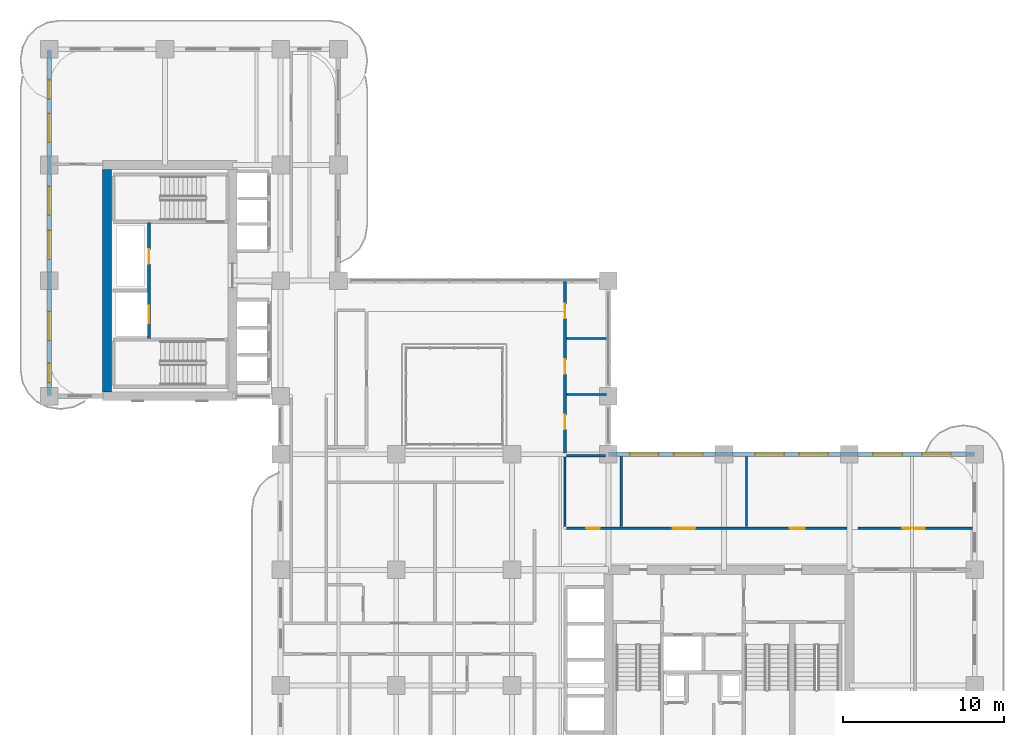
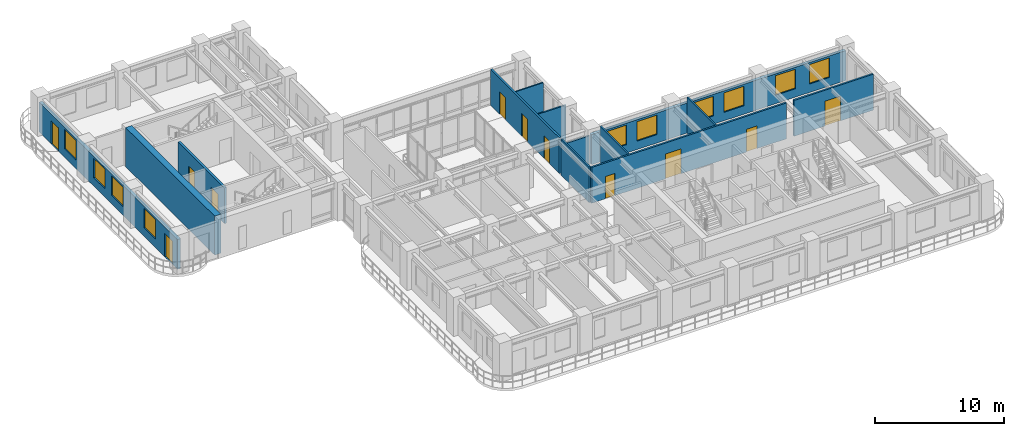
# One storey, part 12 of 19: 13 walls, 11 doors, 10 windows, 21 openings.
"""IFC4 building model written with IfcOpenShell, lengths in metres."""

import ifcopenshell
import ifcopenshell.guid

model = None  # the IFC model being written
_history = None  # IfcOwnerHistory: only IFC2X3 demands one
_inside = {}  # id of a spatial element -> (the spatial element, [elements in it])
_under = {}  # id of a project, library or spatial element -> (it, [spatial elements below it])
_declared = {}  # id of a project -> (the project, [libraries it declares])
_typed = {}  # id of a type object -> (the type object, [elements of that type])
_made_of = {}  # id of a material, layer set ... -> (it, [elements and type objects made of it])


def new_model(schema):
    """Start an empty IFC model of exactly this schema.

    Asked for "IFC4X3", IfcOpenShell would pick the latest addendum, in which some entities
    have other attributes; the version numbers below select the first issue.
    IFC2X3 requires an IfcOwnerHistory on every rooted entity: one is made here for all.
    """
    global model, _history
    if schema == "IFC4X3":
        model = ifcopenshell.file(schema_version=(4, 3, 0, 0))
    else:
        model = ifcopenshell.file(schema=schema)
    _inside.clear()
    _under.clear()
    _declared.clear()
    _typed.clear()
    _made_of.clear()
    _history = None
    if model.schema == "IFC2X3":
        org = make("IfcOrganization", Name="unknown")
        user = make(
            "IfcPersonAndOrganization",
            ThePerson=make("IfcPerson", FamilyName="unknown"),
            TheOrganization=org,
        )
        app = make(
            "IfcApplication",
            ApplicationDeveloper=org,
            Version="unknown",
            ApplicationFullName="unknown",
            ApplicationIdentifier="unknown",
        )
        _history = make(
            "IfcOwnerHistory",
            OwningUser=user,
            OwningApplication=app,
            ChangeAction="ADDED",
            CreationDate=0,
        )
    return model


def make(cls, **values):
    """One entity of the class cls with the attributes given. An attribute that is None is left unset."""
    return model.create_entity(
        cls, **{name: value for name, value in values.items() if value is not None}
    )


def rooted(cls, **values):
    """An entity with a GlobalId (a new one), such as an element, a storey or a relation."""
    return make(cls, GlobalId=ifcopenshell.guid.new(), OwnerHistory=_history, **values)


def si_unit(unit_type, name, prefix=None):
    """IfcSIUnit, for example si_unit("LENGTHUNIT", "METRE", prefix="MILLI")."""
    return make("IfcSIUnit", UnitType=unit_type, Prefix=prefix, Name=name)


def derived_unit(unit_type, elements):
    """IfcDerivedUnit: a product of units, each with its exponent."""
    return make(
        "IfcDerivedUnit",
        Elements=[
            make("IfcDerivedUnitElement", Unit=unit, Exponent=power)
            for unit, power in elements
        ],
        UnitType=unit_type,
    )


def assignment(units):
    """IfcUnitAssignment: the units of a project."""
    return None if units is None else make("IfcUnitAssignment", Units=units)


def point(xyz):
    """IfcCartesianPoint."""
    return None if xyz is None else make("IfcCartesianPoint", Coordinates=xyz)


def direction(xyz):
    """IfcDirection."""
    return None if xyz is None else make("IfcDirection", DirectionRatios=xyz)


def frame(location, z_axis=None, x_axis=None):
    """IfcAxis2Placement3D, a coordinate frame: its origin and axes. An axis left out is left unset."""
    return make(
        "IfcAxis2Placement3D",
        Location=point(location),
        Axis=direction(z_axis),
        RefDirection=direction(x_axis),
    )


def frame_2d(location, x_axis=None):
    """IfcAxis2Placement2D, a coordinate frame in the plane: its origin and x axis."""
    return make(
        "IfcAxis2Placement2D", Location=point(location), RefDirection=direction(x_axis)
    )


def origin():
    """The frame at (0, 0, 0) with its axes left unset."""
    return frame((0.0, 0.0, 0.0))


def place(relative_to, where):
    """IfcLocalPlacement: puts the frame where relative to a parent placement (None: the world)."""
    return make(
        "IfcLocalPlacement", PlacementRelTo=relative_to, RelativePlacement=where
    )


def context(
    kind, dimensions, precision=None, world=None, true_north=None, identifier=None
):
    """IfcGeometricRepresentationContext, for example the 3D "Model" context."""
    return make(
        "IfcGeometricRepresentationContext",
        ContextIdentifier=identifier,
        ContextType=kind,
        CoordinateSpaceDimension=dimensions,
        Precision=precision,
        WorldCoordinateSystem=world,
        TrueNorth=true_north,
    )


def subcontext(parent, identifier, kind, view, scale=None):
    """IfcGeometricRepresentationSubContext, for example "Body" below "Model"."""
    return make(
        "IfcGeometricRepresentationSubContext",
        ContextIdentifier=identifier,
        ContextType=kind,
        ParentContext=parent,
        TargetScale=scale,
        TargetView=view,
    )


def project(units=None, contexts=None):
    """IfcProject with its units and contexts."""
    return rooted(
        "IfcProject",
        Name="project",
        RepresentationContexts=contexts,
        UnitsInContext=assignment(units),
    )


def spatial(cls, under=None, at=None, **own):
    """A site, building, storey or space (cls), placed at a placement, below another one or the project."""
    s = rooted(cls, ObjectPlacement=at, **own)
    if under is not None:
        _under.setdefault(under.id(), (under, []))[1].append(s)
    return s


def profile(cls, at=None, kind="AREA", **sizes):
    """A parametric profile (cls). Its sizes go by their IFC names, for example OverallWidth=200.0."""
    return make(cls, ProfileType=kind, Position=at, **sizes)


def rectangle(**sizes):
    """IfcRectangleProfileDef."""
    return profile("IfcRectangleProfileDef", **sizes)


def extrude(swept, where, along, depth):
    """IfcExtrudedAreaSolid: the profile swept, set in the frame where, extruded along a direction by depth."""
    return make(
        "IfcExtrudedAreaSolid",
        SweptArea=swept,
        Position=where,
        ExtrudedDirection=direction(along),
        Depth=depth,
    )


def shape(context_of_items, identifier, shape_type, items):
    """IfcShapeRepresentation: the items that make up one representation, for example the "Body"."""
    return make(
        "IfcShapeRepresentation",
        ContextOfItems=context_of_items,
        RepresentationIdentifier=identifier,
        RepresentationType=shape_type,
        Items=items,
    )


def source(mapping_origin, context_of_items, identifier, shape_type, items):
    """IfcRepresentationMap: a shape defined once, which mapped items show again and again."""
    return make(
        "IfcRepresentationMap",
        MappingOrigin=mapping_origin,
        MappedRepresentation=shape(context_of_items, identifier, shape_type, items),
    )


def transform(
    local_origin,
    x_axis=None,
    y_axis=None,
    z_axis=None,
    scale=None,
    scale2=None,
    scale3=None,
    uniform=True,
):
    """IfcCartesianTransformationOperator3D, or its non-uniform kind. x_axis, y_axis, z_axis: its Axis1, 2, 3."""
    if uniform:
        return make(
            "IfcCartesianTransformationOperator3D",
            Axis1=direction(x_axis),
            Axis2=direction(y_axis),
            LocalOrigin=point(local_origin),
            Scale=scale,
            Axis3=direction(z_axis),
        )
    return make(
        "IfcCartesianTransformationOperator3DnonUniform",
        Axis1=direction(x_axis),
        Axis2=direction(y_axis),
        LocalOrigin=point(local_origin),
        Scale=scale,
        Axis3=direction(z_axis),
        Scale2=scale2,
        Scale3=scale3,
    )


def mapped(mapping_source, mapping_target):
    """IfcMappedItem: shows the shape of a source again, moved by a transform."""
    return make(
        "IfcMappedItem", MappingSource=mapping_source, MappingTarget=mapping_target
    )


def material(Name=None, Category=None):
    """IfcMaterial."""
    return make("IfcMaterial", Name=Name, Category=Category)


def layer(
    of_material, thickness, ventilated=None, Name=None, Category=None, Priority=None
):
    """IfcMaterialLayer: one layer of a wall or slab, of a material (None: an air gap)."""
    return make(
        "IfcMaterialLayer",
        Material=of_material,
        LayerThickness=thickness,
        IsVentilated=ventilated,
        Name=Name,
        Category=Category,
        Priority=Priority,
    )


def layer_set(layers, Name=None):
    """IfcMaterialLayerSet."""
    return make("IfcMaterialLayerSet", MaterialLayers=layers, LayerSetName=Name)


def made_of(thing, what):
    """Note that an element or type object is made of a material, layer set ...; save() writes the relation."""
    if what is not None:
        _made_of.setdefault(what.id(), (what, []))[1].append(thing)
    return thing


def type_object(cls, material=None, **own):
    """A type object (cls), such as IfcWallType, which elements share."""
    return made_of(rooted(cls, **own), material)


def type_shapes(of_type, sources):
    """Give a type object the sources (RepresentationMaps) that its elements show as mapped items."""
    of_type.RepresentationMaps = sources


def element(
    cls,
    number,
    at=None,
    inside=None,
    cuts=None,
    type_object=None,
    material=None,
    context=None,
    identifier="Body",
    shape_type=None,
    held_by="IfcProductDefinitionShape",
    body=None,
    shapes=None,
    **own,
):
    """One element of the class cls, such as IfcWall. Its Tag is "e" and its number.

    at: its placement. inside: the storey or other place that contains it. cuts: it is an
    opening in that element (IfcRelVoidsElement). A single representation is given by context,
    identifier, shape_type and body (its items); several are given by shapes. held_by: the class
    of the entity that holds the representations. save() writes the other relations.
    """
    e = rooted(cls, Tag="e%d" % number, ObjectPlacement=at, **own)
    if body is not None:
        shapes = [shape(context, identifier, shape_type, body)]
    if shapes is not None:
        e.Representation = make(held_by, Representations=shapes)
    if inside is not None:
        _inside.setdefault(inside.id(), (inside, []))[1].append(e)
    if cuts is not None:
        rooted(
            "IfcRelVoidsElement", RelatingBuildingElement=cuts, RelatedOpeningElement=e
        )
    if type_object is not None:
        _typed.setdefault(type_object.id(), (type_object, []))[1].append(e)
    return made_of(e, material)


def fill(opening, filler):
    """IfcRelFillsElement: the door or window that sits in an opening."""
    return rooted(
        "IfcRelFillsElement",
        RelatingOpeningElement=opening,
        RelatedBuildingElement=filler,
    )


def aggregate(whole, parts):
    """IfcRelAggregates: a whole, such as a stair, and the parts it consists of."""
    return rooted("IfcRelAggregates", RelatingObject=whole, RelatedObjects=parts)


def save(model, path):
    """Write the relations noted so far, then the file.

    IfcRelAggregates (storeys below a building ...), IfcRelContainedInSpatialStructure (elements
    in a storey), IfcRelDefinesByType, IfcRelAssociatesMaterial and IfcRelDeclares: one each for
    every whole, place, type object, material and project.
    """
    for whole, parts in _under.values():
        aggregate(whole, parts)
    for where, things in _inside.values():
        rooted(
            "IfcRelContainedInSpatialStructure",
            RelatedElements=things,
            RelatingStructure=where,
        )
    for kind, things in _typed.values():
        rooted("IfcRelDefinesByType", RelatedObjects=things, RelatingType=kind)
    for what, things in _made_of.values():
        rooted("IfcRelAssociatesMaterial", RelatedObjects=things, RelatingMaterial=what)
    for by, libraries in _declared.values():
        rooted("IfcRelDeclares", RelatingContext=by, RelatedDefinitions=libraries)
    model.write(path)


model = new_model("IFC4")

# Units and contexts
model_context = context("Model", 3, precision=1e-05, world=origin(), true_north=direction((0.0, 1.0)))
body_context = subcontext(model_context, "Body", "Model", "MODEL_VIEW")
ifc_project = project(units=[si_unit("LENGTHUNIT", "METRE"), si_unit("AREAUNIT", "SQUARE_METRE"), si_unit("VOLUMEUNIT", "CUBIC_METRE"), si_unit("PLANEANGLEUNIT", "RADIAN"), si_unit("MASSUNIT", "GRAM", prefix="KILO"), si_unit("THERMODYNAMICTEMPERATUREUNIT", "KELVIN"), si_unit("POWERUNIT", "WATT"), derived_unit("THERMALTRANSMITTANCEUNIT", [(si_unit("POWERUNIT", "WATT"), 1), (si_unit("AREAUNIT", "SQUARE_METRE"), -1), (si_unit("THERMODYNAMICTEMPERATUREUNIT", "KELVIN"), -1)])], contexts=[model_context])

# Site, building, storey
site_placement = place(None, origin())
site = spatial("IfcSite", under=ifc_project, at=site_placement, CompositionType="ELEMENT")
building_placement = place(site_placement, origin())
building = spatial("IfcBuilding", under=site, at=building_placement, Name="Zahravan Archway Hotel and Residences", CompositionType="ELEMENT")
storey_placement = place(building_placement, frame((0.0, 0.0, 102.699951171875)))
storey = spatial("IfcBuildingStorey", under=building, at=storey_placement, Name="L25", CompositionType="ELEMENT", Elevation=102.699951171875)

# Wall
ifc_material_1 = material(Name="Concrete C70/85", Category="concrete")
ifc_layer_1 = layer(ifc_material_1, 0.550048828125, Name="Concrete C70/85", Category="concrete")
ifc_layer_set_1 = layer_set([ifc_layer_1], Name="Concrete C70/85")
wall_type_1 = type_object("IfcWallType", Name="CW-CORE-550", PredefinedType="SHEAR", material=ifc_layer_set_1)
wall_1_placement = place(storey_placement, frame((3.60009765625, 25.47509765625, 0.0), z_axis=(0.0, 0.0, 1.0), x_axis=(0.0, 1.0, 0.0)))
element("IfcWall", 1, at=wall_1_placement, inside=storey, type_object=wall_type_1, Name="L25 Core B Shear W Wall 550 mm", PredefinedType="SHEAR", context=body_context, shape_type="SweptSolid", body=[
    extrude(rectangle(XDim=13.849853515625, YDim=0.550048828125, at=frame_2d((6.9248046875, 0.0))), origin(), (0.0, 0.0, 1.0), 3.699951171875),
])

# Wall, openings, windows
ifc_material_2 = material(Name="Honed Red-Ochre Sandstone & Insulated Block", Category="masonry")
ifc_layer_2 = layer(ifc_material_2, 0.280029296875, Name="Honed Red-Ochre Sandstone & Insulated Block", Category="masonry")
ifc_layer_set_2 = layer_set([ifc_layer_2], Name="Honed Red-Ochre Sandstone & Insulated Block")
wall_type_2 = type_object("IfcWallType", Name="EW-LOG-280", PredefinedType="SOLIDWALL", material=ifc_layer_set_2)
wall_2_placement = place(storey_placement, frame((34.800048828125, 21.60009765625, 0.0), z_axis=(0.0, 0.0, 1.0), x_axis=(1.0, 0.0, 0.0)))
wall_2 = element("IfcWall", 2, at=wall_2_placement, inside=storey, type_object=wall_type_2, Name="L25 Exterior Sandstone Wall WA-NE", PredefinedType="SOLIDWALL", context=body_context, shape_type="SweptSolid", body=[
    extrude(rectangle(XDim=22.800048828125, YDim=0.280029296875, at=frame_2d((11.39990234375, 0.0))), origin(), (0.0, 0.0, 1.0), 2.8349609375),
])
opening_1_placement = place(wall_2_placement, frame((1.3310546875, 0.0, 0.800048828125)))
opening_1 = element("IfcOpeningElement", 3, at=opening_1_placement, cuts=wall_2, Name="Opening W-02", PredefinedType="OPENING", context=body_context, shape_type="SweptSolid", body=[
    extrude(rectangle(XDim=1.800048828125, YDim=1.85009765625, at=frame_2d((0.89990234375, 0.925048828125))), frame((0.0, 0.14990234375, 0.0), z_axis=(0.0, -1.0, 0.0), x_axis=(1.0, 0.0, 0.0)), (0.0, 0.0, 1.0), 0.300048828125),
])
opening_2_placement = place(wall_2_placement, frame((4.076904296875, 0.0, 0.800048828125)))
opening_2 = element("IfcOpeningElement", 4, at=opening_2_placement, cuts=wall_2, Name="Opening W-02", PredefinedType="OPENING", context=body_context, shape_type="SweptSolid", body=[
    extrude(rectangle(XDim=1.800048828125, YDim=1.85009765625, at=frame_2d((0.89990234375, 0.925048828125))), frame((0.0, 0.14990234375, 0.0), z_axis=(0.0, -1.0, 0.0), x_axis=(1.0, 0.0, 0.0)), (0.0, 0.0, 1.0), 0.300048828125),
])
opening_3_placement = place(wall_2_placement, frame((9.131103515625, 0.0, 0.800048828125)))
opening_3 = element("IfcOpeningElement", 5, at=opening_3_placement, cuts=wall_2, Name="Opening W-02", PredefinedType="OPENING", context=body_context, shape_type="SweptSolid", body=[
    extrude(rectangle(XDim=1.800048828125, YDim=1.85009765625, at=frame_2d((0.89990234375, 0.925048828125))), frame((0.0, 0.14990234375, 0.0), z_axis=(0.0, -1.0, 0.0), x_axis=(1.0, 0.0, 0.0)), (0.0, 0.0, 1.0), 0.300048828125),
])
opening_4_placement = place(wall_2_placement, frame((11.876953125, 0.0, 0.800048828125)))
opening_4 = element("IfcOpeningElement", 6, at=opening_4_placement, cuts=wall_2, Name="Opening W-02", PredefinedType="OPENING", context=body_context, shape_type="SweptSolid", body=[
    extrude(rectangle(XDim=1.800048828125, YDim=1.85009765625, at=frame_2d((0.89990234375, 0.925048828125))), frame((0.0, 0.14990234375, 0.0), z_axis=(0.0, -1.0, 0.0), x_axis=(1.0, 0.0, 0.0)), (0.0, 0.0, 1.0), 0.300048828125),
])
opening_5_placement = place(wall_2_placement, frame((16.47509765625, 0.0, 0.800048828125)))
opening_5 = element("IfcOpeningElement", 7, at=opening_5_placement, cuts=wall_2, Name="Opening W-02", PredefinedType="OPENING", context=body_context, shape_type="SweptSolid", body=[
    extrude(rectangle(XDim=1.800048828125, YDim=1.85009765625, at=frame_2d((0.89990234375, 0.925048828125))), frame((0.0, 0.14990234375, 0.0), z_axis=(0.0, -1.0, 0.0), x_axis=(1.0, 0.0, 0.0)), (0.0, 0.0, 1.0), 0.300048828125),
])
opening_6_placement = place(wall_2_placement, frame((19.52490234375, 0.0, 0.800048828125)))
opening_6 = element("IfcOpeningElement", 8, at=opening_6_placement, cuts=wall_2, Name="Opening W-02", PredefinedType="OPENING", context=body_context, shape_type="SweptSolid", body=[
    extrude(rectangle(XDim=1.800048828125, YDim=1.85009765625, at=frame_2d((0.89990234375, 0.925048828125))), frame((0.0, 0.14990234375, 0.0), z_axis=(0.0, -1.0, 0.0), x_axis=(1.0, 0.0, 0.0)), (0.0, 0.0, 1.0), 0.300048828125),
])
ifc_material_3 = material(Name="Bronze-Anodized Thermal-Break Aluminium & Low-E Glass", Category="aluminium")
window_type = type_object("IfcWindowType", Name="WIN-TWR-1800", PartitioningType="DOUBLE_PANEL_VERTICAL", PredefinedType="WINDOW", material=ifc_material_3)
shared_shape_1 = source(origin(), body_context, "Body", "SweptSolid", [
    extrude(rectangle(XDim=1.800048828125, YDim=1.85009765625, at=frame_2d((0.89990234375, 0.925048828125))), frame((0.0, 0.030029296875, 0.0), z_axis=(0.0, -1.0, 0.0), x_axis=(1.0, 0.0, 0.0)), (0.0, 0.0, 1.0), 0.06005859375),
])
type_shapes(window_type, [shared_shape_1])
window_1_placement = place(opening_1_placement, origin())
window_1 = element("IfcWindow", 9, at=window_1_placement, inside=storey, type_object=window_type, Name="L25 Loggia Window 18", OverallHeight=1.85009765625, OverallWidth=1.800048828125, PartitioningType="DOUBLE_PANEL_VERTICAL", PredefinedType="WINDOW", context=body_context, shape_type="MappedRepresentation", body=[
    mapped(shared_shape_1, transform((0.0, 0.0, 0.0), scale=1.0)),
])
fill(opening_1, window_1)
window_2_placement = place(opening_2_placement, origin())
window_2 = element("IfcWindow", 10, at=window_2_placement, inside=storey, type_object=window_type, Name="L25 Loggia Window 19", OverallHeight=1.85009765625, OverallWidth=1.800048828125, PartitioningType="DOUBLE_PANEL_VERTICAL", PredefinedType="WINDOW", context=body_context, shape_type="MappedRepresentation", body=[
    mapped(shared_shape_1, transform((0.0, 0.0, 0.0), scale=1.0)),
])
fill(opening_2, window_2)
window_3_placement = place(opening_3_placement, origin())
window_3 = element("IfcWindow", 11, at=window_3_placement, inside=storey, type_object=window_type, Name="L25 Loggia Window 20", OverallHeight=1.85009765625, OverallWidth=1.800048828125, PartitioningType="DOUBLE_PANEL_VERTICAL", PredefinedType="WINDOW", context=body_context, shape_type="MappedRepresentation", body=[
    mapped(shared_shape_1, transform((0.0, 0.0, 0.0), scale=1.0)),
])
fill(opening_3, window_3)
window_4_placement = place(opening_4_placement, origin())
window_4 = element("IfcWindow", 12, at=window_4_placement, inside=storey, type_object=window_type, Name="L25 Loggia Window 21", OverallHeight=1.85009765625, OverallWidth=1.800048828125, PartitioningType="DOUBLE_PANEL_VERTICAL", PredefinedType="WINDOW", context=body_context, shape_type="MappedRepresentation", body=[
    mapped(shared_shape_1, transform((0.0, 0.0, 0.0), scale=1.0)),
])
fill(opening_4, window_4)
window_5_placement = place(opening_5_placement, origin())
window_5 = element("IfcWindow", 13, at=window_5_placement, inside=storey, type_object=window_type, Name="L25 Loggia Window 22", OverallHeight=1.85009765625, OverallWidth=1.800048828125, PartitioningType="DOUBLE_PANEL_VERTICAL", PredefinedType="WINDOW", context=body_context, shape_type="MappedRepresentation", body=[
    mapped(shared_shape_1, transform((0.0, 0.0, 0.0), scale=1.0)),
])
fill(opening_5, window_5)
window_6_placement = place(opening_6_placement, origin())
window_6 = element("IfcWindow", 14, at=window_6_placement, inside=storey, type_object=window_type, Name="L25 Loggia Window 23", OverallHeight=1.85009765625, OverallWidth=1.800048828125, PartitioningType="DOUBLE_PANEL_VERTICAL", PredefinedType="WINDOW", context=body_context, shape_type="MappedRepresentation", body=[
    mapped(shared_shape_1, transform((0.0, 0.0, 0.0), scale=1.0)),
])
fill(opening_6, window_6)

# Wall, openings, doors, windows
wall_3_placement = place(storey_placement, frame((0.0, 25.25, 0.0), z_axis=(0.0, 0.0, 1.0), x_axis=(0.0, 1.0, 0.0)))
wall_3 = element("IfcWall", 15, at=wall_3_placement, inside=storey, type_object=wall_type_2, Name="L25 Exterior Sandstone Wall WB-W", PredefinedType="SOLIDWALL", context=body_context, shape_type="SweptSolid", body=[
    extrude(rectangle(XDim=21.5, YDim=0.280029296875, at=frame_2d((10.75, 0.0))), origin(), (0.0, 0.0, 1.0), 2.8349609375),
])
opening_7_placement = place(wall_3_placement, frame((18.449951171875, 0.0, 0.0)))
opening_7 = element("IfcOpeningElement", 16, at=opening_7_placement, cuts=wall_3, Name="Opening ED-BL1", PredefinedType="OPENING", context=body_context, shape_type="SweptSolid", body=[
    extrude(rectangle(XDim=1.199951171875, YDim=2.199951171875, at=frame_2d((0.60009765625, 1.10009765625))), frame((0.0, 0.14990234375, 0.0), z_axis=(0.0, -1.0, 0.0), x_axis=(1.0, 0.0, 0.0)), (0.0, 0.0, 1.0), 0.300048828125),
])
opening_8_placement = place(wall_3_placement, frame((0.800048828125, 0.0, 0.0)))
opening_8 = element("IfcOpeningElement", 17, at=opening_8_placement, cuts=wall_3, Name="Opening ED-BL1", PredefinedType="OPENING", context=body_context, shape_type="SweptSolid", body=[
    extrude(rectangle(XDim=1.199951171875, YDim=2.199951171875, at=frame_2d((0.60009765625, 1.10009765625))), frame((0.0, 0.14990234375, 0.0), z_axis=(0.0, -1.0, 0.0), x_axis=(1.0, 0.0, 0.0)), (0.0, 0.0, 1.0), 0.300048828125),
])
opening_9_placement = place(wall_3_placement, frame((3.425048828125, 0.0, 0.800048828125)))
opening_9 = element("IfcOpeningElement", 18, at=opening_9_placement, cuts=wall_3, Name="Opening W-02", PredefinedType="OPENING", context=body_context, shape_type="SweptSolid", body=[
    extrude(rectangle(XDim=1.800048828125, YDim=1.85009765625, at=frame_2d((0.89990234375, 0.925048828125))), frame((0.0, 0.14990234375, 0.0), z_axis=(0.0, -1.0, 0.0), x_axis=(1.0, 0.0, 0.0)), (0.0, 0.0, 1.0), 0.300048828125),
])
opening_10_placement = place(wall_3_placement, frame((8.47509765625, 0.0, 0.800048828125)))
opening_10 = element("IfcOpeningElement", 19, at=opening_10_placement, cuts=wall_3, Name="Opening W-02", PredefinedType="OPENING", context=body_context, shape_type="SweptSolid", body=[
    extrude(rectangle(XDim=1.800048828125, YDim=1.85009765625, at=frame_2d((0.89990234375, 0.925048828125))), frame((0.0, 0.14990234375, 0.0), z_axis=(0.0, -1.0, 0.0), x_axis=(1.0, 0.0, 0.0)), (0.0, 0.0, 1.0), 0.300048828125),
])
opening_11_placement = place(wall_3_placement, frame((11.22509765625, 0.0, 0.800048828125)))
opening_11 = element("IfcOpeningElement", 20, at=opening_11_placement, cuts=wall_3, Name="Opening W-02", PredefinedType="OPENING", context=body_context, shape_type="SweptSolid", body=[
    extrude(rectangle(XDim=1.800048828125, YDim=1.85009765625, at=frame_2d((0.89990234375, 0.925048828125))), frame((0.0, 0.14990234375, 0.0), z_axis=(0.0, -1.0, 0.0), x_axis=(1.0, 0.0, 0.0)), (0.0, 0.0, 1.0), 0.300048828125),
])
opening_12_placement = place(wall_3_placement, frame((15.75, 0.0, 0.800048828125)))
opening_12 = element("IfcOpeningElement", 21, at=opening_12_placement, cuts=wall_3, Name="Opening W-02", PredefinedType="OPENING", context=body_context, shape_type="SweptSolid", body=[
    extrude(rectangle(XDim=1.800048828125, YDim=1.85009765625, at=frame_2d((0.89990234375, 0.925048828125))), frame((0.0, 0.14990234375, 0.0), z_axis=(0.0, -1.0, 0.0), x_axis=(1.0, 0.0, 0.0)), (0.0, 0.0, 1.0), 0.300048828125),
])
ifc_material_4 = material(Name="Bronze-Anodized Glazed Aluminium", Category="aluminium")
door_type_1 = type_object("IfcDoorType", Name="ED-BALC-1200", OperationType="SLIDING_TO_LEFT", PredefinedType="DOOR", material=ifc_material_4)
shared_shape_2 = source(origin(), body_context, "Body", "SweptSolid", [
    extrude(rectangle(XDim=1.199951171875, YDim=2.199951171875, at=frame_2d((0.60009765625, 1.10009765625))), frame((0.0, 0.02490234375, 0.0), z_axis=(0.0, -1.0, 0.0), x_axis=(1.0, 0.0, 0.0)), (0.0, 0.0, 1.0), 0.050048828125),
])
type_shapes(door_type_1, [shared_shape_2])
door_1_placement = place(opening_7_placement, origin())
door_1 = element("IfcDoor", 22, at=door_1_placement, inside=storey, type_object=door_type_1, Name="L25 Outdoor Access Sliding Door (SLB-BAL-L25-NB)", OperationType="SLIDING_TO_LEFT", OverallHeight=2.199951171875, OverallWidth=1.199951171875, PredefinedType="DOOR", context=body_context, shape_type="MappedRepresentation", body=[
    mapped(shared_shape_2, transform((0.0, 0.0, 0.0), scale=1.0)),
])
fill(opening_7, door_1)
door_2_placement = place(opening_8_placement, origin())
door_2 = element("IfcDoor", 23, at=door_2_placement, inside=storey, type_object=door_type_1, Name="L25 Outdoor Access Sliding Door (SLB-BAL-L25-WB)", OperationType="SLIDING_TO_LEFT", OverallHeight=2.199951171875, OverallWidth=1.199951171875, PredefinedType="DOOR", context=body_context, shape_type="MappedRepresentation", body=[
    mapped(shared_shape_2, transform((0.0, 0.0, 0.0), scale=1.0)),
])
fill(opening_8, door_2)
window_7_placement = place(opening_9_placement, origin())
window_7 = element("IfcWindow", 24, at=window_7_placement, inside=storey, type_object=window_type, Name="L25 Loggia Window 30", OverallHeight=1.85009765625, OverallWidth=1.800048828125, PartitioningType="DOUBLE_PANEL_VERTICAL", PredefinedType="WINDOW", context=body_context, shape_type="MappedRepresentation", body=[
    mapped(shared_shape_1, transform((0.0, 0.0, 0.0), scale=1.0)),
])
fill(opening_9, window_7)
window_8_placement = place(opening_10_placement, origin())
window_8 = element("IfcWindow", 25, at=window_8_placement, inside=storey, type_object=window_type, Name="L25 Loggia Window 31", OverallHeight=1.85009765625, OverallWidth=1.800048828125, PartitioningType="DOUBLE_PANEL_VERTICAL", PredefinedType="WINDOW", context=body_context, shape_type="MappedRepresentation", body=[
    mapped(shared_shape_1, transform((0.0, 0.0, 0.0), scale=1.0)),
])
fill(opening_10, window_8)
window_9_placement = place(opening_11_placement, origin())
window_9 = element("IfcWindow", 26, at=window_9_placement, inside=storey, type_object=window_type, Name="L25 Loggia Window 32", OverallHeight=1.85009765625, OverallWidth=1.800048828125, PartitioningType="DOUBLE_PANEL_VERTICAL", PredefinedType="WINDOW", context=body_context, shape_type="MappedRepresentation", body=[
    mapped(shared_shape_1, transform((0.0, 0.0, 0.0), scale=1.0)),
])
fill(opening_11, window_9)
window_10_placement = place(opening_12_placement, origin())
window_10 = element("IfcWindow", 27, at=window_10_placement, inside=storey, type_object=window_type, Name="L25 Loggia Window 33", OverallHeight=1.85009765625, OverallWidth=1.800048828125, PartitioningType="DOUBLE_PANEL_VERTICAL", PredefinedType="WINDOW", context=body_context, shape_type="MappedRepresentation", body=[
    mapped(shared_shape_1, transform((0.0, 0.0, 0.0), scale=1.0)),
])
fill(opening_12, window_10)

# Wall, openings, doors
ifc_material_5 = material(Name="Fire-Rated Gypsum & Concrete Block", Category="concrete")
ifc_layer_3 = layer(ifc_material_5, 0.159912109375, Name="Fire-Rated Gypsum & Concrete Block", Category="concrete")
ifc_layer_set_3 = layer_set([ifc_layer_3], Name="Fire-Rated Gypsum & Concrete Block")
wall_type_3 = type_object("IfcWallType", Name="PW-CORR-160", PredefinedType="PARTITIONING", material=ifc_layer_set_3)
wall_4_placement = place(storey_placement, frame((32.18994140625, 17.0, 0.0), z_axis=(0.0, 0.0, 1.0), x_axis=(1.0, 0.0, 0.0)))
wall_4 = element("IfcWall", 28, at=wall_4_placement, inside=storey, type_object=wall_type_3, Name="L25 Partition WA-FN", PredefinedType="PARTITIONING", context=body_context, shape_type="SweptSolid", body=[
    extrude(rectangle(XDim=17.469970703125, YDim=0.159912109375, at=frame_2d((8.73486328125, 0.0))), origin(), (0.0, 0.0, 1.0), 3.400146484375),
])
opening_13_placement = place(wall_4_placement, frame((1.235107421875, 0.0, 0.0)))
opening_13 = element("IfcOpeningElement", 29, at=opening_13_placement, cuts=wall_4, Name="Opening D-B1", PredefinedType="OPENING", context=body_context, shape_type="SweptSolid", body=[
    extrude(rectangle(XDim=0.85009765625, YDim=2.10009765625, at=frame_2d((0.425048828125, 1.050048828125))), frame((0.0, 0.08984375, 0.0), z_axis=(0.0, -1.0, 0.0), x_axis=(1.0, 0.0, 0.0)), (0.0, 0.0, 1.0), 0.179931640625),
])
opening_14_placement = place(wall_4_placement, frame((6.610107421875, 0.0, 0.0)))
opening_14 = element("IfcOpeningElement", 30, at=opening_14_placement, cuts=wall_4, Name="Opening D-P1", PredefinedType="OPENING", context=body_context, shape_type="SweptSolid", body=[
    extrude(rectangle(XDim=1.39990234375, YDim=2.35009765625, at=frame_2d((0.699951171875, 1.175048828125))), frame((0.0, 0.08984375, 0.0), z_axis=(0.0, -1.0, 0.0), x_axis=(1.0, 0.0, 0.0)), (0.0, 0.0, 1.0), 0.179931640625),
])
opening_15_placement = place(wall_4_placement, frame((13.885009765625, 0.0, 0.0)))
opening_15 = element("IfcOpeningElement", 31, at=opening_15_placement, cuts=wall_4, Name="Opening D-I1", PredefinedType="OPENING", context=body_context, shape_type="SweptSolid", body=[
    extrude(rectangle(XDim=0.949951171875, YDim=2.14990234375, at=frame_2d((0.47509765625, 1.074951171875))), frame((0.0, 0.08984375, 0.0), z_axis=(0.0, -1.0, 0.0), x_axis=(1.0, 0.0, 0.0)), (0.0, 0.0, 1.0), 0.179931640625),
])
ifc_material_6 = material(Name="Hardwood Veneer Timber", Category="wood")
door_type_2 = type_object("IfcDoorType", Name="ID-BATH-850", OperationType="NOTDEFINED", PredefinedType="DOOR", material=ifc_material_6)
shared_shape_3 = source(origin(), body_context, "Body", "SweptSolid", [
    extrude(rectangle(XDim=0.85009765625, YDim=2.10009765625, at=frame_2d((0.425048828125, 1.050048828125))), frame((0.0, 0.02490234375, 0.0), z_axis=(0.0, -1.0, 0.0), x_axis=(1.0, 0.0, 0.0)), (0.0, 0.0, 1.0), 0.050048828125),
])
type_shapes(door_type_2, [shared_shape_3])
door_3_placement = place(opening_13_placement, origin())
door_3 = element("IfcDoor", 32, at=door_3_placement, inside=storey, type_object=door_type_2, Name="L25 Accessible WC Door", OperationType="SINGLE_SWING_LEFT", OverallHeight=2.10009765625, OverallWidth=0.85009765625, PredefinedType="DOOR", context=body_context, shape_type="MappedRepresentation", body=[
    mapped(shared_shape_3, transform((0.0, 0.0, 0.0), scale=1.0)),
])
fill(opening_13, door_3)
door_type_3 = type_object("IfcDoorType", Name="ID-PUBLIC-1400", OperationType="DOUBLE_DOOR_SINGLE_SWING", PredefinedType="DOOR", material=ifc_material_4)
shared_shape_4 = source(origin(), body_context, "Body", "SweptSolid", [
    extrude(rectangle(XDim=1.39990234375, YDim=2.35009765625, at=frame_2d((0.699951171875, 1.175048828125))), frame((0.0, 0.02490234375, 0.0), z_axis=(0.0, -1.0, 0.0), x_axis=(1.0, 0.0, 0.0)), (0.0, 0.0, 1.0), 0.050048828125),
])
type_shapes(door_type_3, [shared_shape_4])
door_4_placement = place(opening_14_placement, origin())
door_4 = element("IfcDoor", 33, at=door_4_placement, inside=storey, type_object=door_type_3, Name="L25 Private Dining Door", OperationType="DOUBLE_DOOR_SINGLE_SWING", OverallHeight=2.35009765625, OverallWidth=1.39990234375, PredefinedType="DOOR", context=body_context, shape_type="MappedRepresentation", body=[
    mapped(shared_shape_4, transform((0.0, 0.0, 0.0), scale=1.0)),
])
fill(opening_14, door_4)
door_type_4 = type_object("IfcDoorType", Name="ID-INT-950", OperationType="NOTDEFINED", PredefinedType="DOOR", material=ifc_material_6)
shared_shape_5 = source(origin(), body_context, "Body", "SweptSolid", [
    extrude(rectangle(XDim=0.949951171875, YDim=2.14990234375, at=frame_2d((0.47509765625, 1.074951171875))), frame((0.0, 0.02490234375, 0.0), z_axis=(0.0, -1.0, 0.0), x_axis=(1.0, 0.0, 0.0)), (0.0, 0.0, 1.0), 0.050048828125),
])
type_shapes(door_type_4, [shared_shape_5])
door_5_placement = place(opening_15_placement, origin())
door_5 = element("IfcDoor", 34, at=door_5_placement, inside=storey, type_object=door_type_4, Name="L25 Quiet Musalla Door", OperationType="SINGLE_SWING_RIGHT", OverallHeight=2.14990234375, OverallWidth=0.949951171875, PredefinedType="DOOR", context=body_context, shape_type="MappedRepresentation", body=[
    mapped(shared_shape_5, transform((0.0, 0.0, 0.0), scale=1.0)),
])
fill(opening_15, door_5)

# Wall, opening, door
wall_5_placement = place(storey_placement, frame((50.340087890625, 17.0, 0.0), z_axis=(0.0, 0.0, 1.0), x_axis=(1.0, 0.0, 0.0)))
wall_5 = element("IfcWall", 35, at=wall_5_placement, inside=storey, type_object=wall_type_3, Name="L25 Partition EA-PN", PredefinedType="PARTITIONING", context=body_context, shape_type="SweptSolid", body=[
    extrude(rectangle(XDim=7.11181640625, YDim=0.159912109375, at=frame_2d((3.555908203125, 0.0))), origin(), (0.0, 0.0, 1.0), 3.400146484375),
])
opening_16_placement = place(wall_5_placement, frame((2.760009765625, 0.0, 0.0)))
opening_16 = element("IfcOpeningElement", 36, at=opening_16_placement, cuts=wall_5, Name="Opening D-P1", PredefinedType="OPENING", context=body_context, shape_type="SweptSolid", body=[
    extrude(rectangle(XDim=1.39990234375, YDim=2.35009765625, at=frame_2d((0.699951171875, 1.175048828125))), frame((0.0, 0.08984375, 0.0), z_axis=(0.0, -1.0, 0.0), x_axis=(1.0, 0.0, 0.0)), (0.0, 0.0, 1.0), 0.179931640625),
])
door_6_placement = place(opening_16_placement, origin())
door_6 = element("IfcDoor", 37, at=door_6_placement, inside=storey, type_object=door_type_3, Name="L25 East Fitness Studio Door", OperationType="DOUBLE_DOOR_SINGLE_SWING", OverallHeight=2.35009765625, OverallWidth=1.39990234375, PredefinedType="DOOR", context=body_context, shape_type="MappedRepresentation", body=[
    mapped(shared_shape_4, transform((0.0, 0.0, 0.0), scale=1.0)),
])
fill(opening_16, door_6)

# Walls
ifc_material_7 = material(Name="Acoustic Stud Partition")
ifc_layer_4 = layer(ifc_material_7, 0.125, Name="Acoustic Stud Partition")
ifc_layer_set_4 = layer_set([ifc_layer_4], Name="Acoustic Stud Partition")
wall_type_4 = type_object("IfcWallType", Name="PW-INT-125", PredefinedType="PARTITIONING", material=ifc_layer_set_4)
for number, where, z_axis, x_axis, name in (
    (38, (32.18994140625, 25.300048828125, 0.0), (0.0, 0.0, 1.0), (1.0, 0.0, 0.0), "L25 Partition ATR-EM3A"),
    (39, (32.18994140625, 28.800048828125, 0.0), (0.0, 0.0, 1.0), (1.0, 0.0, 0.0), "L25 Partition ATR-EM3B"),
):
    element("IfcWall", number, at=place(storey_placement, frame(where, z_axis=z_axis, x_axis=x_axis)), inside=storey, type_object=wall_type_4, Name=name, PredefinedType="PARTITIONING", context=body_context, shape_type="SweptSolid", body=[
        extrude(rectangle(XDim=2.5, YDim=0.125, at=frame_2d((1.25, 0.0))), origin(), (0.0, 0.0, 1.0), 3.400146484375),
    ])

# Wall, openings, doors
ifc_layer_5 = layer(ifc_material_5, 0.199951171875, Name="Fire-Rated Gypsum & Concrete Block", Category="concrete")
ifc_layer_set_5 = layer_set([ifc_layer_5], Name="Fire-Rated Gypsum & Concrete Block")
wall_type_5 = type_object("IfcWallType", Name="PW-SHAFT-200", PredefinedType="PARTITIONING", material=ifc_layer_set_5)
wall_6_placement = place(storey_placement, frame((6.199951171875, 28.7900390625, 0.0), z_axis=(0.0, 0.0, 1.0), x_axis=(0.0, 1.0, 0.0)))
wall_6 = element("IfcWall", 40, at=wall_6_placement, inside=storey, type_object=wall_type_5, Name="L25 Partition CB-FL3E", PredefinedType="PARTITIONING", context=body_context, shape_type="SweptSolid", body=[
    extrude(rectangle(XDim=7.219970703125, YDim=0.199951171875, at=frame_2d((3.60986328125, 0.0))), origin(), (0.0, 0.0, 1.0), 3.400146484375),
])
opening_17_placement = place(wall_6_placement, frame((4.659912109375, 0.0, 0.0)))
opening_17 = element("IfcOpeningElement", 41, at=opening_17_placement, cuts=wall_6, Name="Opening FD-R1", PredefinedType="OPENING", context=body_context, shape_type="SweptSolid", body=[
    extrude(rectangle(XDim=0.89990234375, YDim=2.10009765625, at=frame_2d((0.449951171875, 1.050048828125))), frame((0.0, 0.10986328125, 0.0), z_axis=(0.0, -1.0, 0.0), x_axis=(1.0, 0.0, 0.0)), (0.0, 0.0, 1.0), 0.219970703125),
])
opening_18_placement = place(wall_6_placement, frame((0.9599609375, 0.0, 0.0)))
opening_18 = element("IfcOpeningElement", 42, at=opening_18_placement, cuts=wall_6, Name="Opening LD", PredefinedType="OPENING", context=body_context, shape_type="SweptSolid", body=[
    extrude(rectangle(XDim=1.10009765625, YDim=2.199951171875, at=frame_2d((0.550048828125, 1.10009765625))), frame((0.0, 0.10986328125, 0.0), z_axis=(0.0, -1.0, 0.0), x_axis=(1.0, 0.0, 0.0)), (0.0, 0.0, 1.0), 0.219970703125),
])
ifc_material_8 = material(Name="Fire-Rated Painted Steel", Category="steel")
door_type_5 = type_object("IfcDoorType", Name="FD-RISER-900", OperationType="NOTDEFINED", PredefinedType="DOOR", material=ifc_material_8)
shared_shape_6 = source(origin(), body_context, "Body", "SweptSolid", [
    extrude(rectangle(XDim=0.89990234375, YDim=2.10009765625, at=frame_2d((0.449951171875, 1.050048828125))), frame((0.0, 0.02490234375, 0.0), z_axis=(0.0, -1.0, 0.0), x_axis=(1.0, 0.0, 0.0)), (0.0, 0.0, 1.0), 0.050048828125),
])
type_shapes(door_type_5, [shared_shape_6])
door_7_placement = place(opening_17_placement, origin())
door_7 = element("IfcDoor", 43, at=door_7_placement, inside=storey, type_object=door_type_5, Name="L25 Core B Riser Door", OperationType="SINGLE_SWING_LEFT", OverallHeight=2.10009765625, OverallWidth=0.89990234375, PredefinedType="DOOR", context=body_context, shape_type="MappedRepresentation", body=[
    mapped(shared_shape_6, transform((0.0, 0.0, 0.0), scale=1.0)),
])
fill(opening_17, door_7)
ifc_material_9 = material(Name="Brushed Stainless Steel", Category="steel")
door_type_6 = type_object("IfcDoorType", Name="DR-LIFT-LD", OperationType="SLIDING_TO_LEFT", PredefinedType="DOOR", material=ifc_material_9)
shared_shape_7 = source(origin(), body_context, "Body", "SweptSolid", [
    extrude(rectangle(XDim=1.10009765625, YDim=2.199951171875, at=frame_2d((0.550048828125, 1.10009765625))), frame((0.0, 0.02490234375, 0.0), z_axis=(0.0, -1.0, 0.0), x_axis=(1.0, 0.0, 0.0)), (0.0, 0.0, 1.0), 0.050048828125),
])
type_shapes(door_type_6, [shared_shape_7])
door_8_placement = place(opening_18_placement, origin())
door_8 = element("IfcDoor", 44, at=door_8_placement, inside=storey, type_object=door_type_6, Name="L25 Lift FL-3 Sliding Landing Door", OperationType="SLIDING_TO_LEFT", OverallHeight=2.199951171875, OverallWidth=1.10009765625, PredefinedType="DOOR", context=body_context, shape_type="MappedRepresentation", body=[
    mapped(shared_shape_7, transform((0.0, 0.0, 0.0), scale=1.0)),
])
fill(opening_18, door_8)

ifc_layer_6 = layer(ifc_material_7, 0.169921875, Name="Acoustic Stud Partition")
ifc_layer_set_6 = layer_set([ifc_layer_6], Name="Acoustic Stud Partition")
wall_type_6 = type_object("IfcWallType", Name="PW-UNIT-170", PredefinedType="PARTITIONING", material=ifc_layer_set_6)
wall_7_placement = place(storey_placement, frame((32.10009765625, 21.669921875, 0.0), z_axis=(0.0, 0.0, 1.0), x_axis=(0.0, 1.0, 0.0)))
wall_7 = element("IfcWall", 45, at=wall_7_placement, inside=storey, type_object=wall_type_6, Name="L25 Partition ATR-E", PredefinedType="PARTITIONING", context=body_context, shape_type="SweptSolid", body=[
    extrude(rectangle(XDim=10.7021484375, YDim=0.169921875, at=frame_2d((5.35107421875, 0.0))), origin(), (0.0, 0.0, 1.0), 3.400146484375),
])
opening_19_placement = place(wall_7_placement, frame((1.47998046875, 0.0, 0.0)))
opening_19 = element("IfcOpeningElement", 46, at=opening_19_placement, cuts=wall_7, Name="Opening D-I2", PredefinedType="OPENING", context=body_context, shape_type="SweptSolid", body=[
    extrude(rectangle(XDim=0.89990234375, YDim=2.14990234375, at=frame_2d((0.449951171875, 1.074951171875))), frame((0.0, 0.094970703125, 0.0), z_axis=(0.0, -1.0, 0.0), x_axis=(1.0, 0.0, 0.0)), (0.0, 0.0, 1.0), 0.18994140625),
])
opening_20_placement = place(wall_7_placement, frame((4.929931640625, 0.0, 0.0)))
opening_20 = element("IfcOpeningElement", 47, at=opening_20_placement, cuts=wall_7, Name="Opening D-I2", PredefinedType="OPENING", context=body_context, shape_type="SweptSolid", body=[
    extrude(rectangle(XDim=0.89990234375, YDim=2.14990234375, at=frame_2d((0.449951171875, 1.074951171875))), frame((0.0, 0.094970703125, 0.0), z_axis=(0.0, -1.0, 0.0), x_axis=(1.0, 0.0, 0.0)), (0.0, 0.0, 1.0), 0.18994140625),
])
opening_21_placement = place(wall_7_placement, frame((8.3798828125, 0.0, 0.0)))
opening_21 = element("IfcOpeningElement", 48, at=opening_21_placement, cuts=wall_7, Name="Opening D-I2", PredefinedType="OPENING", context=body_context, shape_type="SweptSolid", body=[
    extrude(rectangle(XDim=0.89990234375, YDim=2.14990234375, at=frame_2d((0.449951171875, 1.074951171875))), frame((0.0, 0.094970703125, 0.0), z_axis=(0.0, -1.0, 0.0), x_axis=(1.0, 0.0, 0.0)), (0.0, 0.0, 1.0), 0.18994140625),
])
door_type_7 = type_object("IfcDoorType", Name="ID-INT-900", OperationType="NOTDEFINED", PredefinedType="DOOR", material=ifc_material_6)
shared_shape_8 = source(origin(), body_context, "Body", "SweptSolid", [
    extrude(rectangle(XDim=0.89990234375, YDim=2.14990234375, at=frame_2d((0.449951171875, 1.074951171875))), frame((0.0, 0.02490234375, 0.0), z_axis=(0.0, -1.0, 0.0), x_axis=(1.0, 0.0, 0.0)), (0.0, 0.0, 1.0), 0.050048828125),
])
type_shapes(door_type_7, [shared_shape_8])
door_9_placement = place(opening_19_placement, origin())
door_9 = element("IfcDoor", 49, at=door_9_placement, inside=storey, type_object=door_type_7, Name="L25 Atrium Pantry Door", OperationType="SINGLE_SWING_RIGHT", OverallHeight=2.14990234375, OverallWidth=0.89990234375, PredefinedType="DOOR", context=body_context, shape_type="MappedRepresentation", body=[
    mapped(shared_shape_8, transform((0.0, 0.0, 0.0), scale=1.0)),
])
fill(opening_19, door_9)
door_10_placement = place(opening_20_placement, origin())
door_10 = element("IfcDoor", 50, at=door_10_placement, inside=storey, type_object=door_type_7, Name="L25 Atrium Study Door", OperationType="SINGLE_SWING_LEFT", OverallHeight=2.14990234375, OverallWidth=0.89990234375, PredefinedType="DOOR", context=body_context, shape_type="MappedRepresentation", body=[
    mapped(shared_shape_8, transform((0.0, 0.0, 0.0), scale=1.0)),
])
fill(opening_20, door_10)
door_11_placement = place(opening_21_placement, origin())
door_11 = element("IfcDoor", 51, at=door_11_placement, inside=storey, type_object=door_type_7, Name="L25 Atrium Clinic Door", OperationType="SINGLE_SWING_RIGHT", OverallHeight=2.14990234375, OverallWidth=0.89990234375, PredefinedType="DOOR", context=body_context, shape_type="MappedRepresentation", body=[
    mapped(shared_shape_8, transform((0.0, 0.0, 0.0), scale=1.0)),
])
fill(opening_21, door_11)

# Walls
ifc_material_10 = material(Name="Moisture-Resistant Blockwork", Category="masonry")
ifc_layer_7 = layer(ifc_material_10, 0.139892578125, Name="Moisture-Resistant Blockwork", Category="masonry")
ifc_layer_set_7 = layer_set([ifc_layer_7], Name="Moisture-Resistant Blockwork")
wall_type_7 = type_object("IfcWallType", Name="PW-WET-140", PredefinedType="PARTITIONING", material=ifc_layer_set_7)
wall_8_placement = place(storey_placement, frame((32.10009765625, 17.090087890625, 0.0), z_axis=(0.0, 0.0, 1.0), x_axis=(0.0, 1.0, 0.0)))
element("IfcWall", 52, at=wall_8_placement, inside=storey, type_object=wall_type_7, Name="L25 Partition NE-W0", PredefinedType="PARTITIONING", context=body_context, shape_type="SweptSolid", body=[
    extrude(rectangle(XDim=4.31982421875, YDim=0.139892578125, at=frame_2d((2.159912109375, 0.0))), origin(), (0.0, 0.0, 1.0), 3.400146484375),
])
for number, where, z_axis, x_axis, name in (
    (53, (35.60009765625, 17.090087890625, 0.0), (0.0, 0.0, 1.0), (0.0, 1.0, 0.0), "L25 Partition NE3-1"),
    (54, (43.39990234375, 17.090087890625, 0.0), (0.0, 0.0, 1.0), (0.0, 1.0, 0.0), "L25 Partition NE3-2"),
):
    element("IfcWall", number, at=place(storey_placement, frame(where, z_axis=z_axis, x_axis=x_axis)), inside=storey, type_object=wall_type_7, Name=name, PredefinedType="PARTITIONING", context=body_context, shape_type="SweptSolid", body=[
        extrude(rectangle(XDim=4.36181640625, YDim=0.139892578125, at=frame_2d((2.180908203125, 0.0))), origin(), (0.0, 0.0, 1.0), 3.400146484375),
    ])
wall_9_placement = place(storey_placement, frame((32.18994140625, 21.5, 0.0), z_axis=(0.0, 0.0, 1.0), x_axis=(1.0, 0.0, 0.0)))
element("IfcWall", 55, at=wall_9_placement, inside=storey, type_object=wall_type_7, Name="L25 Partition ATR-ES", PredefinedType="PARTITIONING", context=body_context, shape_type="SweptSolid", body=[
    extrude(rectangle(XDim=2.420166015625, YDim=0.139892578125, at=frame_2d((1.2099609375, 0.0))), origin(), (0.0, 0.0, 1.0), 2.8349609375),
])

save(model, "model.ifc")
